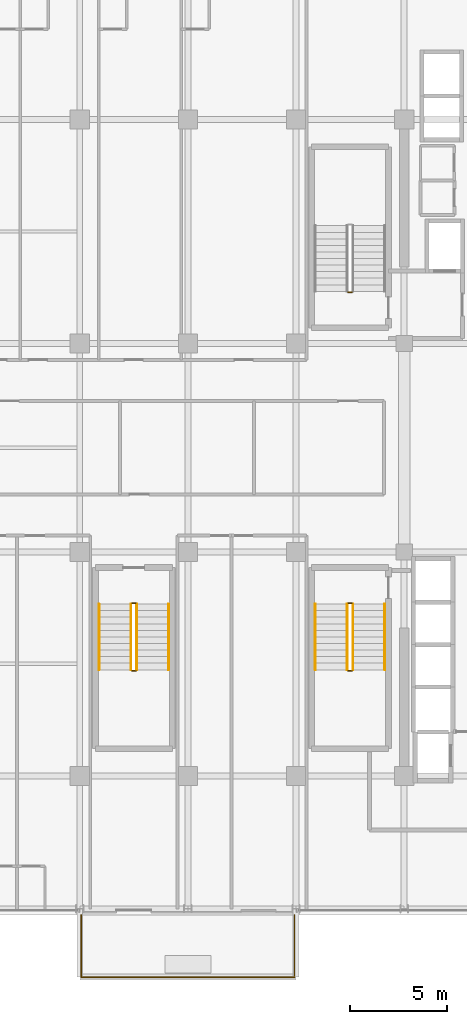
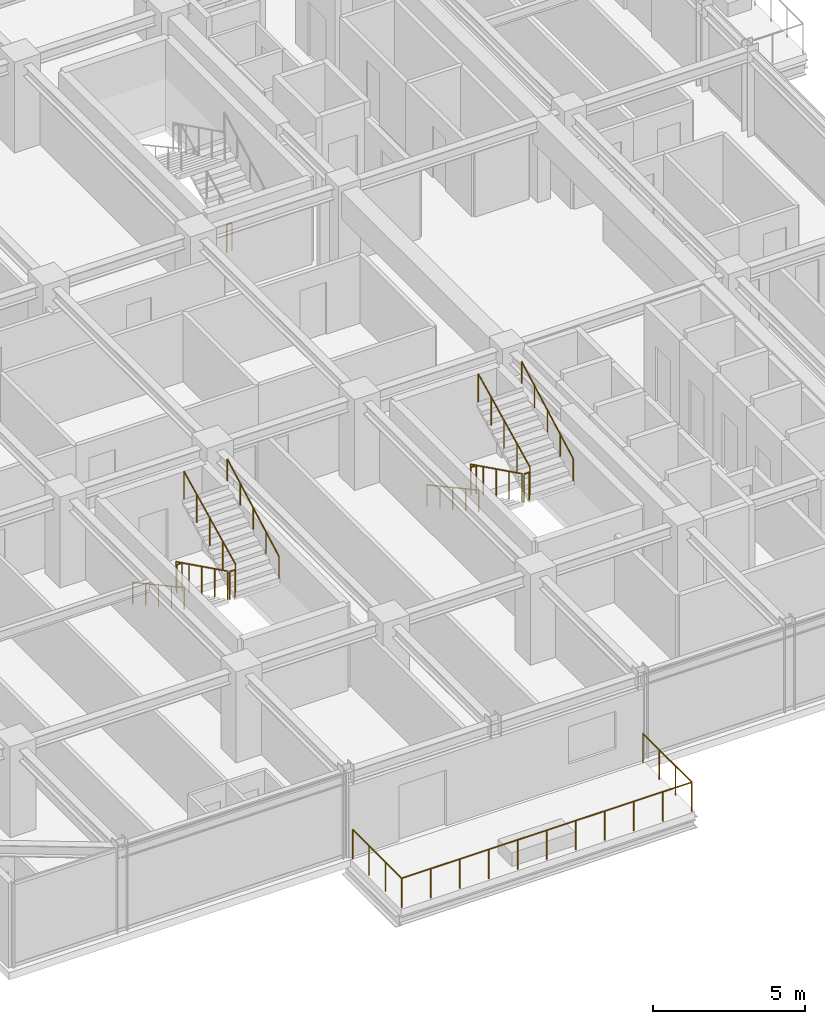
# One storey, part 32 of 34: 14 railings.
"""IFC4 building model written with IfcOpenShell, lengths in metres."""

from ifc_helpers import new_model, si_unit, direction, frame, origin, origin_2d, place, context, subcontext, project, spatial, circle, extrude, material, type_object, element, save


model = new_model("IFC4")

# Units and contexts
model_context = context("Model", 3, precision=1e-05, world=origin(), true_north=direction((0.0, 1.0)))
body_context = subcontext(model_context, "Body", "Model", "MODEL_VIEW")
ifc_project = project(units=[si_unit("LENGTHUNIT", "METRE"), si_unit("AREAUNIT", "SQUARE_METRE"), si_unit("VOLUMEUNIT", "CUBIC_METRE"), si_unit("PLANEANGLEUNIT", "RADIAN"), si_unit("MASSUNIT", "GRAM", prefix="KILO")], contexts=[model_context])

# Site, building, storey
site_placement = place(None, origin())
site = spatial("IfcSite", under=ifc_project, at=site_placement, CompositionType="ELEMENT")
building_placement = place(site_placement, origin())
building = spatial("IfcBuilding", under=site, at=building_placement, Name="Nahalor Promenade Grand Hotel", CompositionType="ELEMENT")
storey_placement = place(building_placement, frame((0.0, 0.0, 208.60009765625)))
storey = spatial("IfcBuildingStorey", under=building, at=storey_placement, Name="L53", CompositionType="ELEMENT", Elevation=208.60009765625)

# Railings
ifc_material_1 = material(Name="Anodised Bronze Aluminium EN AW-6063 T6", Category="aluminium")
railing_type_1 = type_object("IfcRailingType", Name="Bronze Balcony Guardrail 1200 mm", PredefinedType="GUARDRAIL", material=ifc_material_1)
railing_1_placement = place(storey_placement, frame((-8.320068359375, -24.199951171875, 0.0)))
element("IfcRailing", 1, at=railing_1_placement, inside=storey, type_object=railing_type_1, Name="L53 Balcony Guardrail 1", PredefinedType="GUARDRAIL", context=body_context, shape_type="SweptSolid", body=[
    extrude(circle(Radius=0.024048, at=origin_2d()), frame((0.0, 0.0, 1.17578125), z_axis=(0.0, -1.0, 0.0), x_axis=(1.0, 0.0, 0.0)), (0.0, 0.0, 1.0), 3.218017578125),
    extrude(circle(Radius=0.024048, at=origin_2d()), frame((0.001953125, -3.219970703125, 1.17578125), z_axis=(1.0, 0.0, 0.0), x_axis=(0.0, 1.0, 0.0)), (0.0, 0.0, 1.0), 11.0361328125),
    extrude(circle(Radius=0.024048, at=origin_2d()), frame((11.0400390625, -3.218017578125, 1.17578125), z_axis=(0.0, 1.0, 0.0), x_axis=(-1.0, 0.0, 0.0)), (0.0, 0.0, 1.0), 3.218017578125),
    extrude(circle(Radius=0.020996, at=origin_2d()), origin(), (0.0, 0.0, 1.0), 1.14990234375),
    extrude(circle(Radius=0.020996, at=origin_2d()), frame((0.0, -1.0732421875, 0.0)), (0.0, 0.0, 1.0), 1.14990234375),
    extrude(circle(Radius=0.020996, at=origin_2d()), frame((0.0, -2.146728515625, 0.0)), (0.0, 0.0, 1.0), 1.14990234375),
    extrude(circle(Radius=0.020996, at=origin_2d()), frame((0.0, -3.219970703125, 0.0)), (0.0, 0.0, 1.0), 1.14990234375),
    extrude(circle(Radius=0.020996, at=origin_2d()), frame((1.10400390625, -3.219970703125, 0.0)), (0.0, 0.0, 1.0), 1.14990234375),
    extrude(circle(Radius=0.020996, at=origin_2d()), frame((2.2080078125, -3.219970703125, 0.0)), (0.0, 0.0, 1.0), 1.14990234375),
    extrude(circle(Radius=0.020996, at=origin_2d()), frame((3.31201171875, -3.219970703125, 0.0)), (0.0, 0.0, 1.0), 1.14990234375),
    extrude(circle(Radius=0.020996, at=origin_2d()), frame((4.416015625, -3.219970703125, 0.0)), (0.0, 0.0, 1.0), 1.14990234375),
    extrude(circle(Radius=0.020996, at=origin_2d()), frame((5.52001953125, -3.219970703125, 0.0)), (0.0, 0.0, 1.0), 1.14990234375),
    extrude(circle(Radius=0.020996, at=origin_2d()), frame((6.6240234375, -3.219970703125, 0.0)), (0.0, 0.0, 1.0), 1.14990234375),
    extrude(circle(Radius=0.020996, at=origin_2d()), frame((7.72802734375, -3.219970703125, 0.0)), (0.0, 0.0, 1.0), 1.14990234375),
    extrude(circle(Radius=0.020996, at=origin_2d()), frame((8.83203125, -3.219970703125, 0.0)), (0.0, 0.0, 1.0), 1.14990234375),
    extrude(circle(Radius=0.020996, at=origin_2d()), frame((9.93603515625, -3.219970703125, 0.0)), (0.0, 0.0, 1.0), 1.14990234375),
    extrude(circle(Radius=0.020996, at=origin_2d()), frame((11.0400390625, -3.219970703125, 0.0)), (0.0, 0.0, 1.0), 1.14990234375),
    extrude(circle(Radius=0.020996, at=origin_2d()), frame((11.0400390625, -2.146728515625, 0.0)), (0.0, 0.0, 1.0), 1.14990234375),
    extrude(circle(Radius=0.020996, at=origin_2d()), frame((11.0400390625, -1.0732421875, 0.0)), (0.0, 0.0, 1.0), 1.14990234375),
    extrude(circle(Radius=0.020996, at=origin_2d()), frame((11.0400390625, 0.0, 0.0)), (0.0, 0.0, 1.0), 1.14990234375),
])
ifc_material_2 = material(Name="Steel S355JR", Category="steel")
railing_type_2 = type_object("IfcRailingType", Name="Steel Stair Guardrail 1150 mm", PredefinedType="GUARDRAIL", material=ifc_material_2)
railing_2_placement = place(storey_placement, frame((5.699951171875, 8.050048828125, 0.0)))
element("IfcRailing", 2, at=railing_2_placement, inside=storey, type_object=railing_type_2, Name="L53 ST1 stair guard 4", PredefinedType="GUARDRAIL", context=body_context, shape_type="SweptSolid", body=[
    extrude(circle(Radius=0.024048, at=origin_2d()), frame((0.0, 0.0, 1.1259765625), z_axis=(-1.0, 0.0, 0.0), x_axis=(0.0, -1.0, 0.0)), (0.0, 0.0, 1.0), 0.199951171875),
    extrude(circle(Radius=0.020996, at=origin_2d()), origin(), (0.0, 0.0, 1.0), 1.099853515625),
    extrude(circle(Radius=0.020996, at=origin_2d()), frame((-0.199951171875, 0.0, 0.0)), (0.0, 0.0, 1.0), 1.099853515625),
])
railing_3_placement = place(storey_placement, frame((5.449951171875, -8.10009765625, 0.16796875)))
element("IfcRailing", 3, at=railing_3_placement, inside=storey, type_object=railing_type_2, Name="L53 ST2 stair guard 1", PredefinedType="GUARDRAIL", context=body_context, shape_type="SweptSolid", body=[
    extrude(circle(Radius=0.024048, at=origin_2d()), frame((0.0, 0.0, 1.1259765625), z_axis=(0.0, -0.896324230515, 0.443399226197), x_axis=(1.0, 0.0, 0.0)), (0.0, 0.0, 1.0), 3.793212890625),
    extrude(circle(Radius=0.020996, at=origin_2d()), origin(), (0.0, 0.0, 1.0), 1.099853515625),
    extrude(circle(Radius=0.020996, at=origin_2d()), frame((0.0, -0.85009765625, 0.42041015625)), (0.0, 0.0, 1.0), 1.099853515625),
    extrude(circle(Radius=0.020996, at=origin_2d()), frame((0.0, -1.699951171875, 0.8408203125)), (0.0, 0.0, 1.0), 1.099853515625),
    extrude(circle(Radius=0.020996, at=origin_2d()), frame((0.0, -2.5498046875, 1.261474609375)), (0.0, 0.0, 1.0), 1.099853515625),
    extrude(circle(Radius=0.020996, at=origin_2d()), frame((0.0, -3.39990234375, 1.681884765625)), (0.0, 0.0, 1.0), 1.099853515625),
])
railing_4_placement = place(storey_placement, frame((5.5, -11.550048828125, 1.849853515625)))
element("IfcRailing", 4, at=railing_4_placement, inside=storey, type_object=railing_type_2, Name="L53 ST2 stair guard 2", PredefinedType="GUARDRAIL", context=body_context, shape_type="SweptSolid", body=[
    extrude(circle(Radius=0.024048, at=origin_2d()), frame((0.0, 0.0, 1.1259765625), z_axis=(1.0, 0.0, 0.0), x_axis=(0.0, 1.0, 0.0)), (0.0, 0.0, 1.0), 0.199951171875),
    extrude(circle(Radius=0.020996, at=origin_2d()), origin(), (0.0, 0.0, 1.0), 1.099853515625),
    extrude(circle(Radius=0.020996, at=origin_2d()), frame((0.199951171875, 0.0, 0.0)), (0.0, 0.0, 1.0), 1.099853515625),
])
railing_5_placement = place(storey_placement, frame((5.75, -11.5, 2.01806640625)))
element("IfcRailing", 5, at=railing_5_placement, inside=storey, type_object=railing_type_2, Name="L53 ST2 stair guard 3", PredefinedType="GUARDRAIL", context=body_context, shape_type="SweptSolid", body=[
    extrude(circle(Radius=0.024048, at=origin_2d()), frame((0.0, 0.0, 1.1259765625), z_axis=(0.0, 0.896324230515, 0.443399226197), x_axis=(-1.0, 0.0, 0.0)), (0.0, 0.0, 1.0), 3.793212890625),
    extrude(circle(Radius=0.020996, at=origin_2d()), origin(), (0.0, 0.0, 1.0), 1.099853515625),
    extrude(circle(Radius=0.020996, at=origin_2d()), frame((0.0, 0.85009765625, 0.42041015625)), (0.0, 0.0, 1.0), 1.099853515625),
    extrude(circle(Radius=0.020996, at=origin_2d()), frame((0.0, 1.699951171875, 0.8408203125)), (0.0, 0.0, 1.0), 1.099853515625),
    extrude(circle(Radius=0.020996, at=origin_2d()), frame((0.0, 2.5498046875, 1.261474609375)), (0.0, 0.0, 1.0), 1.099853515625),
    extrude(circle(Radius=0.020996, at=origin_2d()), frame((0.0, 3.39990234375, 1.681884765625)), (0.0, 0.0, 1.0), 1.099853515625),
])
railing_6_placement = place(storey_placement, frame((5.5, -8.050048828125, 0.0)))
element("IfcRailing", 6, at=railing_6_placement, inside=storey, type_object=railing_type_2, Name="L53 ST2 stair guard 4", PredefinedType="GUARDRAIL", context=body_context, shape_type="SweptSolid", body=[
    extrude(circle(Radius=0.024048, at=origin_2d()), frame((0.0, 0.0, 1.1259765625), z_axis=(1.0, 0.0, 0.0), x_axis=(0.0, 1.0, 0.0)), (0.0, 0.0, 1.0), 0.199951171875),
    extrude(circle(Radius=0.020996, at=origin_2d()), origin(), (0.0, 0.0, 1.0), 1.099853515625),
    extrude(circle(Radius=0.020996, at=origin_2d()), frame((0.199951171875, 0.0, 0.0)), (0.0, 0.0, 1.0), 1.099853515625),
])
railing_7_placement = place(storey_placement, frame((-5.75, -8.10009765625, 0.16796875)))
element("IfcRailing", 7, at=railing_7_placement, inside=storey, type_object=railing_type_2, Name="L53 ST3 stair guard 1", PredefinedType="GUARDRAIL", context=body_context, shape_type="SweptSolid", body=[
    extrude(circle(Radius=0.024048, at=origin_2d()), frame((0.0, 0.0, 1.1259765625), z_axis=(0.0, -0.896324230515, 0.443399226197), x_axis=(1.0, 0.0, 0.0)), (0.0, 0.0, 1.0), 3.793212890625),
    extrude(circle(Radius=0.020996, at=origin_2d()), origin(), (0.0, 0.0, 1.0), 1.099853515625),
    extrude(circle(Radius=0.020996, at=origin_2d()), frame((0.0, -0.85009765625, 0.42041015625)), (0.0, 0.0, 1.0), 1.099853515625),
    extrude(circle(Radius=0.020996, at=origin_2d()), frame((0.0, -1.699951171875, 0.8408203125)), (0.0, 0.0, 1.0), 1.099853515625),
    extrude(circle(Radius=0.020996, at=origin_2d()), frame((0.0, -2.5498046875, 1.261474609375)), (0.0, 0.0, 1.0), 1.099853515625),
    extrude(circle(Radius=0.020996, at=origin_2d()), frame((0.0, -3.39990234375, 1.681884765625)), (0.0, 0.0, 1.0), 1.099853515625),
])
railing_8_placement = place(storey_placement, frame((-5.699951171875, -11.550048828125, 1.849853515625)))
element("IfcRailing", 8, at=railing_8_placement, inside=storey, type_object=railing_type_2, Name="L53 ST3 stair guard 2", PredefinedType="GUARDRAIL", context=body_context, shape_type="SweptSolid", body=[
    extrude(circle(Radius=0.024048, at=origin_2d()), frame((0.0, 0.0, 1.1259765625), z_axis=(1.0, 0.0, 0.0), x_axis=(0.0, 1.0, 0.0)), (0.0, 0.0, 1.0), 0.199951171875),
    extrude(circle(Radius=0.020996, at=origin_2d()), origin(), (0.0, 0.0, 1.0), 1.099853515625),
    extrude(circle(Radius=0.020996, at=origin_2d()), frame((0.199951171875, 0.0, 0.0)), (0.0, 0.0, 1.0), 1.099853515625),
])
railing_9_placement = place(storey_placement, frame((-5.449951171875, -11.5, 2.01806640625)))
element("IfcRailing", 9, at=railing_9_placement, inside=storey, type_object=railing_type_2, Name="L53 ST3 stair guard 3", PredefinedType="GUARDRAIL", context=body_context, shape_type="SweptSolid", body=[
    extrude(circle(Radius=0.024048, at=origin_2d()), frame((0.0, 0.0, 1.1259765625), z_axis=(0.0, 0.896324230515, 0.443399226197), x_axis=(-1.0, 0.0, 0.0)), (0.0, 0.0, 1.0), 3.793212890625),
    extrude(circle(Radius=0.020996, at=origin_2d()), origin(), (0.0, 0.0, 1.0), 1.099853515625),
    extrude(circle(Radius=0.020996, at=origin_2d()), frame((0.0, 0.85009765625, 0.42041015625)), (0.0, 0.0, 1.0), 1.099853515625),
    extrude(circle(Radius=0.020996, at=origin_2d()), frame((0.0, 1.699951171875, 0.8408203125)), (0.0, 0.0, 1.0), 1.099853515625),
    extrude(circle(Radius=0.020996, at=origin_2d()), frame((0.0, 2.5498046875, 1.261474609375)), (0.0, 0.0, 1.0), 1.099853515625),
    extrude(circle(Radius=0.020996, at=origin_2d()), frame((0.0, 3.39990234375, 1.681884765625)), (0.0, 0.0, 1.0), 1.099853515625),
])
railing_10_placement = place(storey_placement, frame((-5.699951171875, -8.050048828125, 0.0)))
element("IfcRailing", 10, at=railing_10_placement, inside=storey, type_object=railing_type_2, Name="L53 ST3 stair guard 4", PredefinedType="GUARDRAIL", context=body_context, shape_type="SweptSolid", body=[
    extrude(circle(Radius=0.024048, at=origin_2d()), frame((0.0, 0.0, 1.1259765625), z_axis=(1.0, 0.0, 0.0), x_axis=(0.0, 1.0, 0.0)), (0.0, 0.0, 1.0), 0.199951171875),
    extrude(circle(Radius=0.020996, at=origin_2d()), origin(), (0.0, 0.0, 1.0), 1.099853515625),
    extrude(circle(Radius=0.020996, at=origin_2d()), frame((0.199951171875, 0.0, 0.0)), (0.0, 0.0, 1.0), 1.099853515625),
])
railing_type_3 = type_object("IfcRailingType", Name="Steel Stair Handrail 900 mm", PredefinedType="HANDRAIL", material=ifc_material_2)
railing_11_placement = place(storey_placement, frame((3.800048828125, -8.10009765625, 0.16796875)))
element("IfcRailing", 11, at=railing_11_placement, inside=storey, type_object=railing_type_3, Name="L53 ST2 stair handrail 1", PredefinedType="HANDRAIL", context=body_context, shape_type="SweptSolid", body=[
    extrude(circle(Radius=0.024048, at=origin_2d()), frame((0.0, 0.0, 0.8759765625), z_axis=(0.0, -0.87837241229, 0.47797688786), x_axis=(1.0, 0.0, 0.0)), (0.0, 0.0, 1.0), 3.87060546875),
    extrude(circle(Radius=0.020996, at=origin_2d()), origin(), (0.0, 0.0, 1.0), 0.849853515625),
    extrude(circle(Radius=0.020996, at=origin_2d()), frame((0.0, -0.85009765625, 0.46240234375)), (0.0, 0.0, 1.0), 0.849853515625),
    extrude(circle(Radius=0.020996, at=origin_2d()), frame((0.0, -1.699951171875, 0.925048828125)), (0.0, 0.0, 1.0), 0.849853515625),
    extrude(circle(Radius=0.020996, at=origin_2d()), frame((0.0, -2.5498046875, 1.3876953125)), (0.0, 0.0, 1.0), 0.849853515625),
    extrude(circle(Radius=0.020996, at=origin_2d()), frame((0.0, -3.39990234375, 1.85009765625)), (0.0, 0.0, 1.0), 0.849853515625),
])
railing_12_placement = place(storey_placement, frame((7.39990234375, -11.5, 2.01806640625)))
element("IfcRailing", 12, at=railing_12_placement, inside=storey, type_object=railing_type_3, Name="L53 ST2 stair handrail 2", PredefinedType="HANDRAIL", context=body_context, shape_type="SweptSolid", body=[
    extrude(circle(Radius=0.024048, at=origin_2d()), frame((0.0, 0.0, 0.8759765625), z_axis=(0.0, 0.87837241229, 0.47797688786), x_axis=(-1.0, 0.0, 0.0)), (0.0, 0.0, 1.0), 3.87060546875),
    extrude(circle(Radius=0.020996, at=origin_2d()), origin(), (0.0, 0.0, 1.0), 0.849853515625),
    extrude(circle(Radius=0.020996, at=origin_2d()), frame((0.0, 0.85009765625, 0.46240234375)), (0.0, 0.0, 1.0), 0.849853515625),
    extrude(circle(Radius=0.020996, at=origin_2d()), frame((0.0, 1.699951171875, 0.925048828125)), (0.0, 0.0, 1.0), 0.849853515625),
    extrude(circle(Radius=0.020996, at=origin_2d()), frame((0.0, 2.5498046875, 1.3876953125)), (0.0, 0.0, 1.0), 0.849853515625),
    extrude(circle(Radius=0.020996, at=origin_2d()), frame((0.0, 3.39990234375, 1.85009765625)), (0.0, 0.0, 1.0), 0.849853515625),
])
railing_13_placement = place(storey_placement, frame((-7.39990234375, -8.10009765625, 0.16796875)))
element("IfcRailing", 13, at=railing_13_placement, inside=storey, type_object=railing_type_3, Name="L53 ST3 stair handrail 1", PredefinedType="HANDRAIL", context=body_context, shape_type="SweptSolid", body=[
    extrude(circle(Radius=0.024048, at=origin_2d()), frame((0.0, 0.0, 0.8759765625), z_axis=(0.0, -0.87837241229, 0.47797688786), x_axis=(1.0, 0.0, 0.0)), (0.0, 0.0, 1.0), 3.87060546875),
    extrude(circle(Radius=0.020996, at=origin_2d()), origin(), (0.0, 0.0, 1.0), 0.849853515625),
    extrude(circle(Radius=0.020996, at=origin_2d()), frame((0.0, -0.85009765625, 0.46240234375)), (0.0, 0.0, 1.0), 0.849853515625),
    extrude(circle(Radius=0.020996, at=origin_2d()), frame((0.0, -1.699951171875, 0.925048828125)), (0.0, 0.0, 1.0), 0.849853515625),
    extrude(circle(Radius=0.020996, at=origin_2d()), frame((0.0, -2.5498046875, 1.3876953125)), (0.0, 0.0, 1.0), 0.849853515625),
    extrude(circle(Radius=0.020996, at=origin_2d()), frame((0.0, -3.39990234375, 1.85009765625)), (0.0, 0.0, 1.0), 0.849853515625),
])
railing_14_placement = place(storey_placement, frame((-3.800048828125, -11.5, 2.01806640625)))
element("IfcRailing", 14, at=railing_14_placement, inside=storey, type_object=railing_type_3, Name="L53 ST3 stair handrail 2", PredefinedType="HANDRAIL", context=body_context, shape_type="SweptSolid", body=[
    extrude(circle(Radius=0.024048, at=origin_2d()), frame((0.0, 0.0, 0.8759765625), z_axis=(0.0, 0.87837241229, 0.47797688786), x_axis=(-1.0, 0.0, 0.0)), (0.0, 0.0, 1.0), 3.87060546875),
    extrude(circle(Radius=0.020996, at=origin_2d()), origin(), (0.0, 0.0, 1.0), 0.849853515625),
    extrude(circle(Radius=0.020996, at=origin_2d()), frame((0.0, 0.85009765625, 0.46240234375)), (0.0, 0.0, 1.0), 0.849853515625),
    extrude(circle(Radius=0.020996, at=origin_2d()), frame((0.0, 1.699951171875, 0.925048828125)), (0.0, 0.0, 1.0), 0.849853515625),
    extrude(circle(Radius=0.020996, at=origin_2d()), frame((0.0, 2.5498046875, 1.3876953125)), (0.0, 0.0, 1.0), 0.849853515625),
    extrude(circle(Radius=0.020996, at=origin_2d()), frame((0.0, 3.39990234375, 1.85009765625)), (0.0, 0.0, 1.0), 0.849853515625),
])

save(model, "model.ifc")
